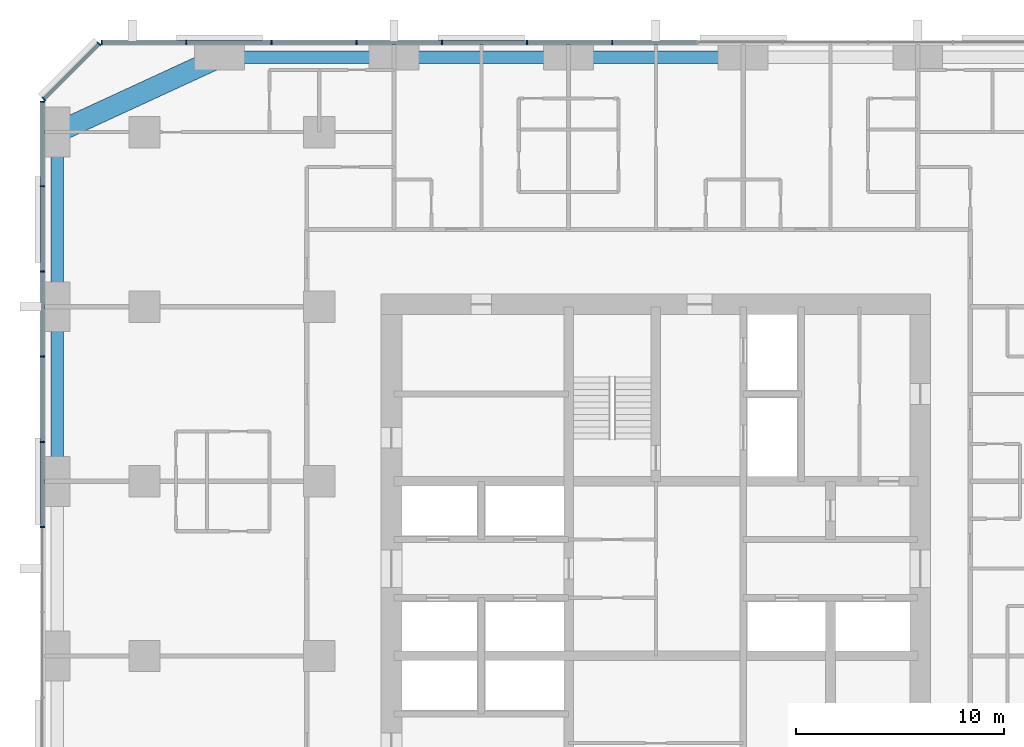
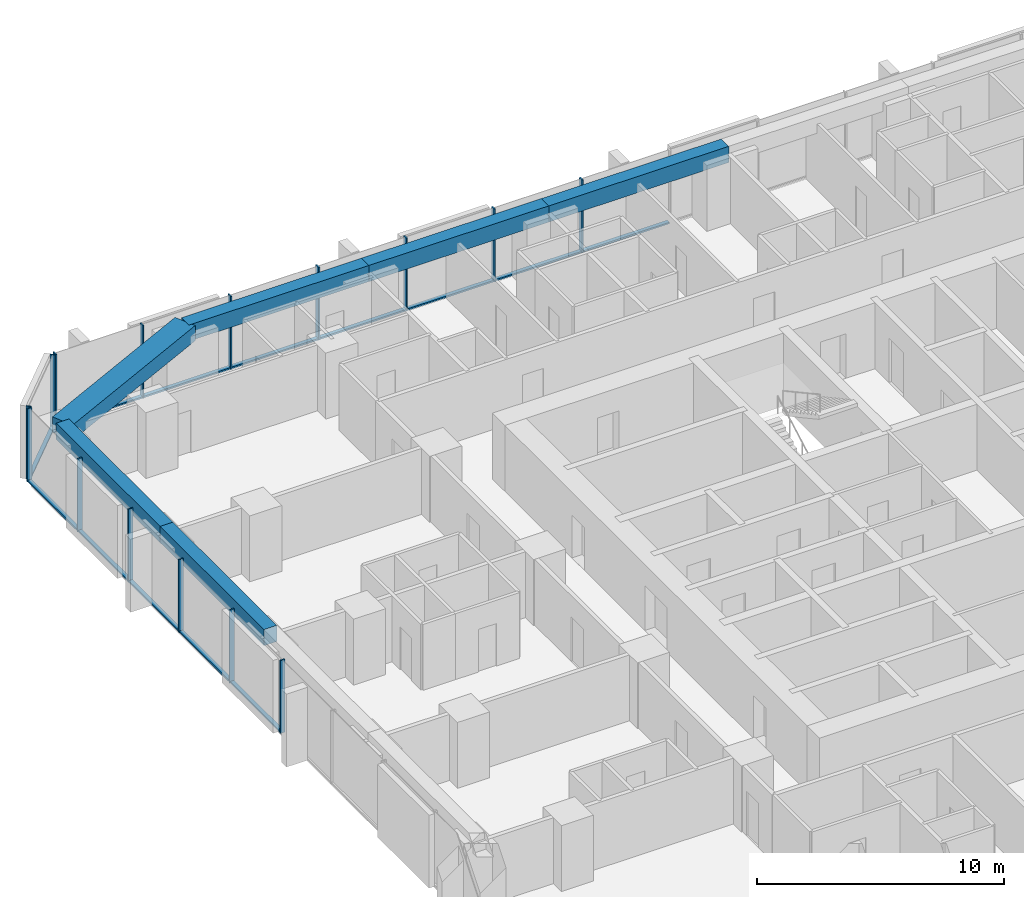
# One storey, part 5 of 14: 28 members, 6 beams, 3 elements without a shape of their own.
"""IFC4 building model written with IfcOpenShell, lengths in metres."""

from ifc_helpers import new_model, si_unit, direction, frame, origin, origin_2d, place, context, subcontext, project, spatial, rectangle, extrude, material, material_profile, profile_set, type_object, element, aggregate, save


model = new_model("IFC4")

# Units and contexts
model_context = context("Model", 3, precision=1e-05, world=origin(), true_north=direction((0.0, 1.0)))
body_context = subcontext(model_context, "Body", "Model", "MODEL_VIEW")
ifc_project = project(units=[si_unit("LENGTHUNIT", "METRE"), si_unit("AREAUNIT", "SQUARE_METRE"), si_unit("VOLUMEUNIT", "CUBIC_METRE"), si_unit("PLANEANGLEUNIT", "RADIAN"), si_unit("MASSUNIT", "GRAM", prefix="KILO")], contexts=[model_context])

# Site, building, storey
site_placement = place(None, origin())
site = spatial("IfcSite", under=ifc_project, at=site_placement, CompositionType="ELEMENT")
building_placement = place(site_placement, origin())
building = spatial("IfcBuilding", under=site, at=building_placement, Name="Dunama Terrace Hotel", CompositionType="ELEMENT")
storey_placement = place(building_placement, frame((0.0, 0.0, 122.39990234375)))
storey = spatial("IfcBuildingStorey", under=building, at=storey_placement, Name="L31", CompositionType="ELEMENT", Elevation=122.39990234375)

# Curtain wall, members
ifc_material_1 = material(Name="Aluminium curtain wall system", Category="aluminium")
curtain_wall_type = type_object("IfcCurtainWallType", Name="Unitised fritted glass wall CW-B", PredefinedType="NOTDEFINED", material=ifc_material_1)
curtain_wall_1_placement = place(storey_placement, origin())
curtain_wall_1 = element("IfcCurtainWall", 1, at=curtain_wall_1_placement, inside=storey, type_object=curtain_wall_type, Name="Unitised fritted glass wall CW-B L31", PredefinedType="NOTDEFINED")
ifc_material_2 = material(Name="Aluminium mullion", Category="aluminium")
ifc_material_profile_1 = material_profile(ifc_material_2, rectangle(XDim=0.06494140625, YDim=0.219970703125, at=origin_2d()), Name="CWB MULLION 65X220")
ifc_profile_set_1 = profile_set([ifc_material_profile_1], Name="Aluminium mullion")
member_type_1 = type_object("IfcMemberType", Name="CWB mullion 65x220", PredefinedType="MULLION", material=ifc_profile_set_1)
member_1_placement = place(storey_placement, frame((27.300048828125, 54.7099609375, 0.0), z_axis=(0.0, 0.0, 1.0), x_axis=(-1.0, 0.0, 0.0)))
member_1 = element("IfcMember", 2, at=member_1_placement, type_object=member_type_1, Name="CWB mullion", PredefinedType="MULLION", context=body_context, shape_type="SweptSolid", body=[
    extrude(rectangle(XDim=0.06494140625, YDim=0.219970703125, at=origin_2d()), origin(), (0.0, 0.0, 1.0), 3.60009765625),
])
member_2_placement = place(storey_placement, frame((23.199951171875, 54.7099609375, 0.0), z_axis=(0.0, 0.0, 1.0), x_axis=(-1.0, 0.0, 0.0)))
member_2 = element("IfcMember", 3, at=member_2_placement, type_object=member_type_1, Name="CWB mullion", PredefinedType="MULLION", context=body_context, shape_type="SweptSolid", body=[
    extrude(rectangle(XDim=0.06494140625, YDim=0.219970703125, at=origin_2d()), origin(), (0.0, 0.0, 1.0), 3.60009765625),
])
member_3_placement = place(storey_placement, frame((19.10009765625, 54.7099609375, 0.0), z_axis=(0.0, 0.0, 1.0), x_axis=(-1.0, 0.0, 0.0)))
member_3 = element("IfcMember", 4, at=member_3_placement, type_object=member_type_1, Name="CWB mullion", PredefinedType="MULLION", context=body_context, shape_type="SweptSolid", body=[
    extrude(rectangle(XDim=0.06494140625, YDim=0.219970703125, at=origin_2d()), origin(), (0.0, 0.0, 1.0), 3.60009765625),
])
member_4_placement = place(storey_placement, frame((15.0, 54.7099609375, 0.0), z_axis=(0.0, 0.0, 1.0), x_axis=(-1.0, 0.0, 0.0)))
member_4 = element("IfcMember", 5, at=member_4_placement, type_object=member_type_1, Name="CWB mullion", PredefinedType="MULLION", context=body_context, shape_type="SweptSolid", body=[
    extrude(rectangle(XDim=0.06494140625, YDim=0.219970703125, at=origin_2d()), origin(), (0.0, 0.0, 1.0), 3.60009765625),
])
member_5_placement = place(storey_placement, frame((10.89990234375, 54.7099609375, 0.0), z_axis=(0.0, 0.0, 1.0), x_axis=(-1.0, 0.0, 0.0)))
member_5 = element("IfcMember", 6, at=member_5_placement, type_object=member_type_1, Name="CWB mullion", PredefinedType="MULLION", context=body_context, shape_type="SweptSolid", body=[
    extrude(rectangle(XDim=0.06494140625, YDim=0.219970703125, at=origin_2d()), origin(), (0.0, 0.0, 1.0), 3.60009765625),
])
member_6_placement = place(storey_placement, frame((6.800048828125, 54.7099609375, 0.0), z_axis=(0.0, 0.0, 1.0), x_axis=(-1.0, 0.0, 0.0)))
member_6 = element("IfcMember", 7, at=member_6_placement, type_object=member_type_1, Name="CWB mullion", PredefinedType="MULLION", context=body_context, shape_type="SweptSolid", body=[
    extrude(rectangle(XDim=0.06494140625, YDim=0.219970703125, at=origin_2d()), origin(), (0.0, 0.0, 1.0), 3.60009765625),
])
member_7_placement = place(storey_placement, frame((2.73291015625, 54.7099609375, 0.0), z_axis=(0.0, 0.0, 1.0), x_axis=(-1.0, 0.0, 0.0)))
member_7 = element("IfcMember", 8, at=member_7_placement, type_object=member_type_1, Name="CWB mullion", PredefinedType="MULLION", context=body_context, shape_type="SweptSolid", body=[
    extrude(rectangle(XDim=0.06494140625, YDim=0.219970703125, at=origin_2d()), origin(), (0.0, 0.0, 1.0), 3.60009765625),
])

curtain_wall_2_placement = place(storey_placement, origin())
curtain_wall_2 = element("IfcCurtainWall", 9, at=curtain_wall_2_placement, inside=storey, type_object=curtain_wall_type, Name="Unitised fritted glass wall CW-B L31", PredefinedType="NOTDEFINED")
member_8_placement = place(storey_placement, frame((2.59912109375, 54.655029296875, 0.0), z_axis=(0.0, 0.0, 1.0), x_axis=(-0.707106781187, -0.707106781187, 0.0)))
member_8 = element("IfcMember", 10, at=member_8_placement, type_object=member_type_1, Name="CWB mullion", PredefinedType="MULLION", context=body_context, shape_type="SweptSolid", body=[
    extrude(rectangle(XDim=0.06494140625, YDim=0.219970703125, at=origin_2d()), origin(), (0.0, 0.0, 1.0), 3.60009765625),
])
member_9_placement = place(storey_placement, frame((-0.054931640625, 52.0009765625, 0.0), z_axis=(0.0, 0.0, 1.0), x_axis=(-0.707106781187, -0.707106781187, 0.0)))
member_9 = element("IfcMember", 11, at=member_9_placement, type_object=member_type_1, Name="CWB mullion", PredefinedType="MULLION", context=body_context, shape_type="SweptSolid", body=[
    extrude(rectangle(XDim=0.06494140625, YDim=0.219970703125, at=origin_2d()), origin(), (0.0, 0.0, 1.0), 3.60009765625),
])

curtain_wall_3_placement = place(storey_placement, origin())
curtain_wall_3 = element("IfcCurtainWall", 12, at=curtain_wall_3_placement, inside=storey, type_object=curtain_wall_type, Name="Unitised fritted glass wall CW-B L31", PredefinedType="NOTDEFINED")
member_10_placement = place(storey_placement, frame((-0.110107421875, 51.866943359375, 0.0), z_axis=(0.0, 0.0, 1.0), x_axis=(0.0, -1.0, 0.0)))
member_10 = element("IfcMember", 13, at=member_10_placement, type_object=member_type_1, Name="CWB mullion", PredefinedType="MULLION", context=body_context, shape_type="SweptSolid", body=[
    extrude(rectangle(XDim=0.06494140625, YDim=0.219970703125, at=origin_2d()), origin(), (0.0, 0.0, 1.0), 3.60009765625),
])
member_11_placement = place(storey_placement, frame((-0.110107421875, 47.800048828125, 0.0), z_axis=(0.0, 0.0, 1.0), x_axis=(0.0, -1.0, 0.0)))
member_11 = element("IfcMember", 14, at=member_11_placement, type_object=member_type_1, Name="CWB mullion", PredefinedType="MULLION", context=body_context, shape_type="SweptSolid", body=[
    extrude(rectangle(XDim=0.06494140625, YDim=0.219970703125, at=origin_2d()), origin(), (0.0, 0.0, 1.0), 3.60009765625),
])
member_12_placement = place(storey_placement, frame((-0.110107421875, 43.699951171875, 0.0), z_axis=(0.0, 0.0, 1.0), x_axis=(0.0, -1.0, 0.0)))
member_12 = element("IfcMember", 15, at=member_12_placement, type_object=member_type_1, Name="CWB mullion", PredefinedType="MULLION", context=body_context, shape_type="SweptSolid", body=[
    extrude(rectangle(XDim=0.06494140625, YDim=0.219970703125, at=origin_2d()), origin(), (0.0, 0.0, 1.0), 3.60009765625),
])
member_13_placement = place(storey_placement, frame((-0.110107421875, 39.60009765625, 0.0), z_axis=(0.0, 0.0, 1.0), x_axis=(0.0, -1.0, 0.0)))
member_13 = element("IfcMember", 16, at=member_13_placement, type_object=member_type_1, Name="CWB mullion", PredefinedType="MULLION", context=body_context, shape_type="SweptSolid", body=[
    extrude(rectangle(XDim=0.06494140625, YDim=0.219970703125, at=origin_2d()), origin(), (0.0, 0.0, 1.0), 3.60009765625),
])
member_14_placement = place(storey_placement, frame((-0.110107421875, 35.5, 0.0), z_axis=(0.0, 0.0, 1.0), x_axis=(0.0, -1.0, 0.0)))
member_14 = element("IfcMember", 17, at=member_14_placement, type_object=member_type_1, Name="CWB mullion", PredefinedType="MULLION", context=body_context, shape_type="SweptSolid", body=[
    extrude(rectangle(XDim=0.06494140625, YDim=0.219970703125, at=origin_2d()), origin(), (0.0, 0.0, 1.0), 3.60009765625),
])
member_15_placement = place(storey_placement, frame((-0.110107421875, 31.39990234375, 0.0), z_axis=(0.0, 0.0, 1.0), x_axis=(0.0, -1.0, 0.0)))
member_15 = element("IfcMember", 18, at=member_15_placement, type_object=member_type_1, Name="CWB mullion", PredefinedType="MULLION", context=body_context, shape_type="SweptSolid", body=[
    extrude(rectangle(XDim=0.06494140625, YDim=0.219970703125, at=origin_2d()), origin(), (0.0, 0.0, 1.0), 3.60009765625),
])

# Member
ifc_material_3 = material(Name="Aluminium transom", Category="aluminium")
ifc_material_profile_2 = material_profile(ifc_material_3, rectangle(XDim=0.179931640625, YDim=0.080078125, at=origin_2d()), Name="CWB TRANSOM 180X80")
ifc_profile_set_2 = profile_set([ifc_material_profile_2], Name="Aluminium transom")
member_type_2 = type_object("IfcMemberType", Name="CWB transom 180x80", PredefinedType="USERDEFINED", material=ifc_profile_set_2)
member_16_placement = place(storey_placement, frame((31.366943359375, 54.7099609375, 0.0400390625), z_axis=(-1.0, 0.0, 0.0), x_axis=(0.0, -1.0, 0.0)))
member_16 = element("IfcMember", 19, at=member_16_placement, type_object=member_type_2, Name="CWB transom", ObjectType="TRANSOM", PredefinedType="USERDEFINED", context=body_context, shape_type="SweptSolid", body=[
    extrude(rectangle(XDim=0.179931640625, YDim=0.080078125, at=origin_2d()), origin(), (0.0, 0.0, 1.0), 4.034912109375),
])

member_17_placement = place(storey_placement, frame((27.26806640625, 54.7099609375, 0.0400390625), z_axis=(-1.0, 0.0, 0.0), x_axis=(0.0, -1.0, 0.0)))
member_17 = element("IfcMember", 20, at=member_17_placement, type_object=member_type_2, Name="CWB transom", ObjectType="TRANSOM", PredefinedType="USERDEFINED", context=body_context, shape_type="SweptSolid", body=[
    extrude(rectangle(XDim=0.179931640625, YDim=0.080078125, at=origin_2d()), origin(), (0.0, 0.0, 1.0), 4.03515625),
])

member_18_placement = place(storey_placement, frame((23.16796875, 54.7099609375, 0.0400390625), z_axis=(-1.0, 0.0, 0.0), x_axis=(0.0, -1.0, 0.0)))
member_18 = element("IfcMember", 21, at=member_18_placement, type_object=member_type_2, Name="CWB transom", ObjectType="TRANSOM", PredefinedType="USERDEFINED", context=body_context, shape_type="SweptSolid", body=[
    extrude(rectangle(XDim=0.179931640625, YDim=0.080078125, at=origin_2d()), origin(), (0.0, 0.0, 1.0), 4.034912109375),
])

member_19_placement = place(storey_placement, frame((19.068115234375, 54.7099609375, 0.0400390625), z_axis=(-1.0, 0.0, 0.0), x_axis=(0.0, -1.0, 0.0)))
member_19 = element("IfcMember", 22, at=member_19_placement, type_object=member_type_2, Name="CWB transom", ObjectType="TRANSOM", PredefinedType="USERDEFINED", context=body_context, shape_type="SweptSolid", body=[
    extrude(rectangle(XDim=0.179931640625, YDim=0.080078125, at=origin_2d()), origin(), (0.0, 0.0, 1.0), 4.0361328125),
])

member_20_placement = place(storey_placement, frame((14.968017578125, 54.7099609375, 0.0400390625), z_axis=(-1.0, 0.0, 0.0), x_axis=(0.0, -1.0, 0.0)))
member_20 = element("IfcMember", 23, at=member_20_placement, type_object=member_type_2, Name="CWB transom", ObjectType="TRANSOM", PredefinedType="USERDEFINED", context=body_context, shape_type="SweptSolid", body=[
    extrude(rectangle(XDim=0.179931640625, YDim=0.080078125, at=origin_2d()), origin(), (0.0, 0.0, 1.0), 4.0361328125),
])

member_21_placement = place(storey_placement, frame((10.866943359375, 54.7099609375, 0.0400390625), z_axis=(-1.0, 0.0, 0.0), x_axis=(0.0, -1.0, 0.0)))
member_21 = element("IfcMember", 24, at=member_21_placement, type_object=member_type_2, Name="CWB transom", ObjectType="TRANSOM", PredefinedType="USERDEFINED", context=body_context, shape_type="SweptSolid", body=[
    extrude(rectangle(XDim=0.179931640625, YDim=0.080078125, at=origin_2d()), origin(), (0.0, 0.0, 1.0), 4.033935546875),
])

member_22_placement = place(storey_placement, frame((6.76806640625, 54.7099609375, 0.0400390625), z_axis=(-1.0, 0.0, 0.0), x_axis=(0.0, -1.0, 0.0)))
member_22 = element("IfcMember", 25, at=member_22_placement, type_object=member_type_2, Name="CWB transom", ObjectType="TRANSOM", PredefinedType="USERDEFINED", context=body_context, shape_type="SweptSolid", body=[
    extrude(rectangle(XDim=0.179931640625, YDim=0.080078125, at=origin_2d()), origin(), (0.0, 0.0, 1.0), 4.003173828125),
])

aggregate(curtain_wall_1, [member_1, member_2, member_3, member_4, member_5, member_6, member_7, member_16, member_17, member_18, member_19, member_20, member_21, member_22])

member_23_placement = place(storey_placement, frame((2.575927734375, 54.632080078125, 0.0400390625), z_axis=(-0.707073683909, -0.707139876915, 0.0), x_axis=(0.707139876915, -0.707073683909, 0.0)))
member_23 = element("IfcMember", 26, at=member_23_placement, type_object=member_type_2, Name="CWB transom", ObjectType="TRANSOM", PredefinedType="USERDEFINED", context=body_context, shape_type="SweptSolid", body=[
    extrude(rectangle(XDim=0.179931640625, YDim=0.080078125, at=origin_2d()), origin(), (0.0, 0.0, 1.0), 3.688232421875),
])

aggregate(curtain_wall_2, [member_8, member_9, member_23])

member_24_placement = place(storey_placement, frame((-0.110107421875, 51.8349609375, 0.0400390625), z_axis=(0.0, -1.0, 0.0), x_axis=(1.0, 0.0, 0.0)))
member_24 = element("IfcMember", 27, at=member_24_placement, type_object=member_type_2, Name="CWB transom", ObjectType="TRANSOM", PredefinedType="USERDEFINED", context=body_context, shape_type="SweptSolid", body=[
    extrude(rectangle(XDim=0.179931640625, YDim=0.080078125, at=origin_2d()), origin(), (0.0, 0.0, 1.0), 4.0029296875),
])

member_25_placement = place(storey_placement, frame((-0.110107421875, 47.76708984375, 0.0400390625), z_axis=(0.0, -1.0, 0.0), x_axis=(1.0, 0.0, 0.0)))
member_25 = element("IfcMember", 28, at=member_25_placement, type_object=member_type_2, Name="CWB transom", ObjectType="TRANSOM", PredefinedType="USERDEFINED", context=body_context, shape_type="SweptSolid", body=[
    extrude(rectangle(XDim=0.179931640625, YDim=0.080078125, at=origin_2d()), origin(), (0.0, 0.0, 1.0), 4.0341796875),
])

member_26_placement = place(storey_placement, frame((-0.110107421875, 43.6669921875, 0.0400390625), z_axis=(0.0, -1.0, 0.0), x_axis=(1.0, 0.0, 0.0)))
member_26 = element("IfcMember", 29, at=member_26_placement, type_object=member_type_2, Name="CWB transom", ObjectType="TRANSOM", PredefinedType="USERDEFINED", context=body_context, shape_type="SweptSolid", body=[
    extrude(rectangle(XDim=0.179931640625, YDim=0.080078125, at=origin_2d()), origin(), (0.0, 0.0, 1.0), 4.033935546875),
])

member_27_placement = place(storey_placement, frame((-0.110107421875, 39.56689453125, 0.0400390625), z_axis=(0.0, -1.0, 0.0), x_axis=(1.0, 0.0, 0.0)))
member_27 = element("IfcMember", 30, at=member_27_placement, type_object=member_type_2, Name="CWB transom", ObjectType="TRANSOM", PredefinedType="USERDEFINED", context=body_context, shape_type="SweptSolid", body=[
    extrude(rectangle(XDim=0.179931640625, YDim=0.080078125, at=origin_2d()), origin(), (0.0, 0.0, 1.0), 4.034912109375),
])

member_28_placement = place(storey_placement, frame((-0.110107421875, 35.468017578125, 0.0400390625), z_axis=(0.0, -1.0, 0.0), x_axis=(1.0, 0.0, 0.0)))
member_28 = element("IfcMember", 31, at=member_28_placement, type_object=member_type_2, Name="CWB transom", ObjectType="TRANSOM", PredefinedType="USERDEFINED", context=body_context, shape_type="SweptSolid", body=[
    extrude(rectangle(XDim=0.179931640625, YDim=0.080078125, at=origin_2d()), origin(), (0.0, 0.0, 1.0), 4.0361328125),
])

aggregate(curtain_wall_3, [member_10, member_11, member_12, member_13, member_14, member_15, member_24, member_25, member_26, member_27, member_28])

# Beams
ifc_material_4 = material(Name="Concrete C50/60", Category="concrete")
ifc_material_profile_3 = material_profile(ifc_material_4, rectangle(XDim=1.0, YDim=0.75, at=origin_2d()), Name="RC 1000x750")
ifc_profile_set_3 = profile_set([ifc_material_profile_3], Name="Concrete C50/60")
beam_type_1 = type_object("IfcBeamType", Name="Edge beam RC 1000x750", PredefinedType="SPANDREL", material=ifc_profile_set_3)
beam_1_placement = place(storey_placement, frame((8.39990234375, 54.0, 3.22509765625), z_axis=(-0.907951066374, -0.419076199598, 0.0), x_axis=(0.419076199598, -0.907951066374, 0.0)))
element("IfcBeam", 32, at=beam_1_placement, inside=storey, type_object=beam_type_1, Name="Corner edge beam under L32", PredefinedType="SPANDREL", context=body_context, shape_type="SweptSolid", body=[
    extrude(rectangle(XDim=1.0, YDim=0.75, at=origin_2d()), origin(), (0.0, 0.0, 1.0), 8.590576171875),
])
ifc_material_5 = material(Name="Concrete C40/50", Category="concrete")
ifc_material_profile_4 = material_profile(ifc_material_5, rectangle(XDim=0.60009765625, YDim=0.800048828125, at=origin_2d()), Name="RC 600x800")
ifc_profile_set_4 = profile_set([ifc_material_profile_4], Name="Concrete C40/50")
beam_type_2 = type_object("IfcBeamType", Name="Edge beam RC 600x800", PredefinedType="SPANDREL", material=ifc_profile_set_4)
for number, where, z_axis, x_axis, name in (
    (33, (0.60009765625, 33.60009765625, 3.2001953125), (0.0, 1.0, 0.0), (-1.0, 0.0, 0.0), "Edge beam under L32"),
    (34, (0.60009765625, 42.0, 3.2001953125), (0.0, 1.0, 0.0), (-1.0, 0.0, 0.0), "Edge beam under L32"),
):
    element("IfcBeam", number, at=place(storey_placement, frame(where, z_axis=z_axis, x_axis=x_axis)), inside=storey, type_object=beam_type_2, Name=name, PredefinedType="SPANDREL", context=body_context, shape_type="SweptSolid", body=[
        extrude(rectangle(XDim=0.60009765625, YDim=0.800048828125, at=origin_2d()), origin(), (0.0, 0.0, 1.0), 8.39990234375),
    ])
beam_2_placement = place(storey_placement, frame((8.39990234375, 54.0, 3.2001953125), z_axis=(1.0, 0.0, 0.0), x_axis=(0.0, 1.0, 0.0)))
element("IfcBeam", 35, at=beam_2_placement, inside=storey, type_object=beam_type_2, Name="Edge beam under L32", PredefinedType="SPANDREL", context=body_context, shape_type="SweptSolid", body=[
    extrude(rectangle(XDim=0.60009765625, YDim=0.800048828125, at=origin_2d()), origin(), (0.0, 0.0, 1.0), 8.400146484375),
])
beam_3_placement = place(storey_placement, frame((16.800048828125, 54.0, 3.2001953125), z_axis=(1.0, 0.0, 0.0), x_axis=(0.0, 1.0, 0.0)))
element("IfcBeam", 36, at=beam_3_placement, inside=storey, type_object=beam_type_2, Name="Edge beam under L32", PredefinedType="SPANDREL", context=body_context, shape_type="SweptSolid", body=[
    extrude(rectangle(XDim=0.60009765625, YDim=0.800048828125, at=origin_2d()), origin(), (0.0, 0.0, 1.0), 8.39990234375),
])
beam_4_placement = place(storey_placement, frame((25.199951171875, 54.0, 3.2001953125), z_axis=(1.0, 0.0, 0.0), x_axis=(0.0, 1.0, 0.0)))
element("IfcBeam", 37, at=beam_4_placement, inside=storey, type_object=beam_type_2, Name="Edge beam under L32", PredefinedType="SPANDREL", context=body_context, shape_type="SweptSolid", body=[
    extrude(rectangle(XDim=0.60009765625, YDim=0.800048828125, at=origin_2d()), origin(), (0.0, 0.0, 1.0), 8.400146484375),
])

save(model, "model.ifc")
